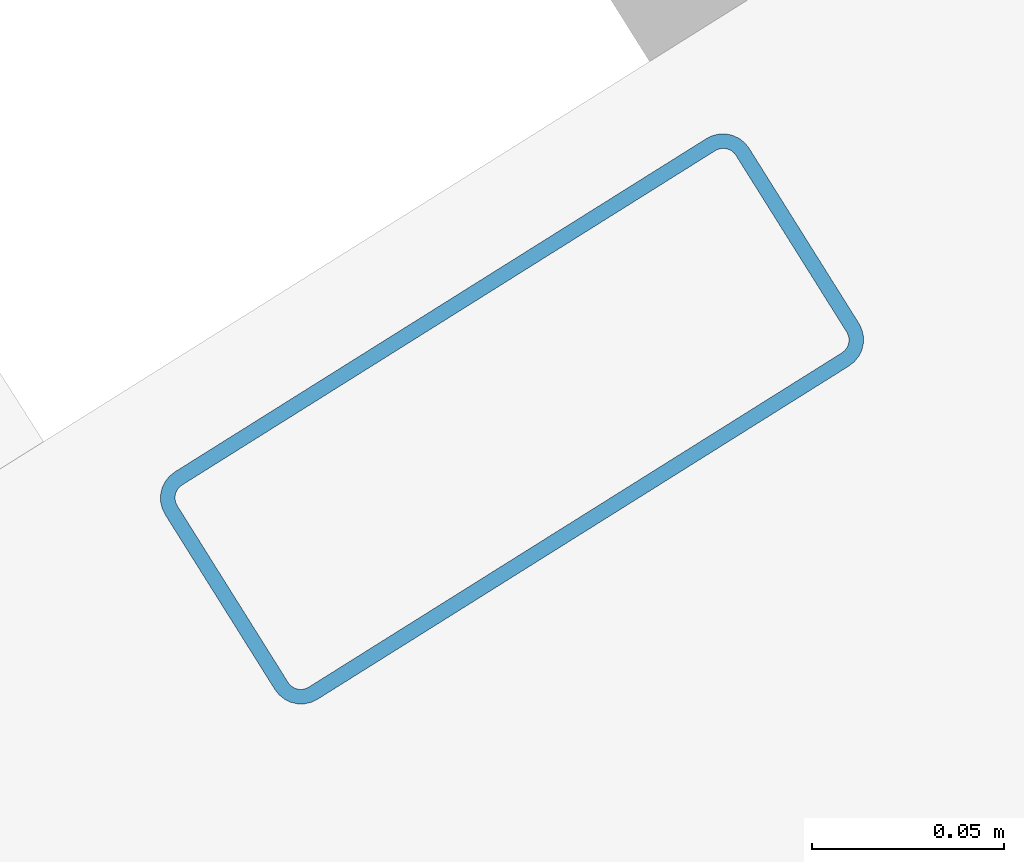
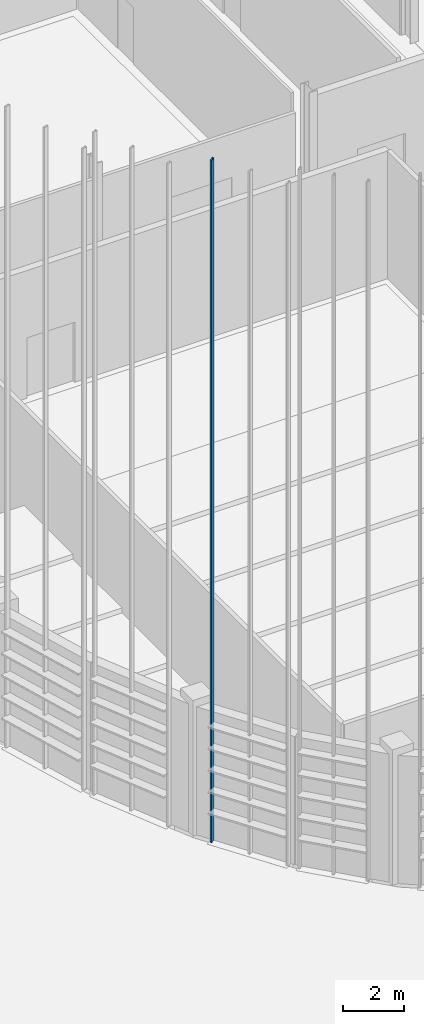
# One storey, part 24 of 372: 1 member.
"""IFC4 building model written with IfcOpenShell, lengths in metres."""

import ifcopenshell
import ifcopenshell.guid

model = None  # the IFC model being written
_history = None  # IfcOwnerHistory: only IFC2X3 demands one
_inside = {}  # id of a spatial element -> (the spatial element, [elements in it])
_under = {}  # id of a project, library or spatial element -> (it, [spatial elements below it])
_declared = {}  # id of a project -> (the project, [libraries it declares])
_typed = {}  # id of a type object -> (the type object, [elements of that type])
_made_of = {}  # id of a material, layer set ... -> (it, [elements and type objects made of it])


def new_model(schema):
    """Start an empty IFC model of exactly this schema.

    Asked for "IFC4X3", IfcOpenShell would pick the latest addendum, in which some entities
    have other attributes; the version numbers below select the first issue.
    IFC2X3 requires an IfcOwnerHistory on every rooted entity: one is made here for all.
    """
    global model, _history
    if schema == "IFC4X3":
        model = ifcopenshell.file(schema_version=(4, 3, 0, 0))
    else:
        model = ifcopenshell.file(schema=schema)
    _inside.clear()
    _under.clear()
    _declared.clear()
    _typed.clear()
    _made_of.clear()
    _history = None
    if model.schema == "IFC2X3":
        org = make("IfcOrganization", Name="unknown")
        user = make(
            "IfcPersonAndOrganization",
            ThePerson=make("IfcPerson", FamilyName="unknown"),
            TheOrganization=org,
        )
        app = make(
            "IfcApplication",
            ApplicationDeveloper=org,
            Version="unknown",
            ApplicationFullName="unknown",
            ApplicationIdentifier="unknown",
        )
        _history = make(
            "IfcOwnerHistory",
            OwningUser=user,
            OwningApplication=app,
            ChangeAction="ADDED",
            CreationDate=0,
        )
    return model


def make(cls, **values):
    """One entity of the class cls with the attributes given. An attribute that is None is left unset."""
    return model.create_entity(
        cls, **{name: value for name, value in values.items() if value is not None}
    )


def rooted(cls, **values):
    """An entity with a GlobalId (a new one), such as an element, a storey or a relation."""
    return make(cls, GlobalId=ifcopenshell.guid.new(), OwnerHistory=_history, **values)


def si_unit(unit_type, name, prefix=None):
    """IfcSIUnit, for example si_unit("LENGTHUNIT", "METRE", prefix="MILLI")."""
    return make("IfcSIUnit", UnitType=unit_type, Prefix=prefix, Name=name)


def assignment(units):
    """IfcUnitAssignment: the units of a project."""
    return None if units is None else make("IfcUnitAssignment", Units=units)


def point(xyz):
    """IfcCartesianPoint."""
    return None if xyz is None else make("IfcCartesianPoint", Coordinates=xyz)


def direction(xyz):
    """IfcDirection."""
    return None if xyz is None else make("IfcDirection", DirectionRatios=xyz)


def frame(location, z_axis=None, x_axis=None):
    """IfcAxis2Placement3D, a coordinate frame: its origin and axes. An axis left out is left unset."""
    return make(
        "IfcAxis2Placement3D",
        Location=point(location),
        Axis=direction(z_axis),
        RefDirection=direction(x_axis),
    )


def frame_2d(location, x_axis=None):
    """IfcAxis2Placement2D, a coordinate frame in the plane: its origin and x axis."""
    return make(
        "IfcAxis2Placement2D", Location=point(location), RefDirection=direction(x_axis)
    )


def origin():
    """The frame at (0, 0, 0) with its axes left unset."""
    return frame((0.0, 0.0, 0.0))


def origin_2d():
    """The frame at (0, 0) in the plane with its x axis left unset."""
    return frame_2d((0.0, 0.0))


def place(relative_to, where):
    """IfcLocalPlacement: puts the frame where relative to a parent placement (None: the world)."""
    return make(
        "IfcLocalPlacement", PlacementRelTo=relative_to, RelativePlacement=where
    )


def context(
    kind, dimensions, precision=None, world=None, true_north=None, identifier=None
):
    """IfcGeometricRepresentationContext, for example the 3D "Model" context."""
    return make(
        "IfcGeometricRepresentationContext",
        ContextIdentifier=identifier,
        ContextType=kind,
        CoordinateSpaceDimension=dimensions,
        Precision=precision,
        WorldCoordinateSystem=world,
        TrueNorth=true_north,
    )


def subcontext(parent, identifier, kind, view, scale=None):
    """IfcGeometricRepresentationSubContext, for example "Body" below "Model"."""
    return make(
        "IfcGeometricRepresentationSubContext",
        ContextIdentifier=identifier,
        ContextType=kind,
        ParentContext=parent,
        TargetScale=scale,
        TargetView=view,
    )


def project(units=None, contexts=None):
    """IfcProject with its units and contexts."""
    return rooted(
        "IfcProject",
        Name="project",
        RepresentationContexts=contexts,
        UnitsInContext=assignment(units),
    )


def spatial(cls, under=None, at=None, **own):
    """A site, building, storey or space (cls), placed at a placement, below another one or the project."""
    s = rooted(cls, ObjectPlacement=at, **own)
    if under is not None:
        _under.setdefault(under.id(), (under, []))[1].append(s)
    return s


def profile(cls, at=None, kind="AREA", **sizes):
    """A parametric profile (cls). Its sizes go by their IFC names, for example OverallWidth=200.0."""
    return make(cls, ProfileType=kind, Position=at, **sizes)


def hollow_rectangle(**sizes):
    """IfcRectangleHollowProfileDef."""
    return profile("IfcRectangleHollowProfileDef", **sizes)


def extrude(swept, where, along, depth):
    """IfcExtrudedAreaSolid: the profile swept, set in the frame where, extruded along a direction by depth."""
    return make(
        "IfcExtrudedAreaSolid",
        SweptArea=swept,
        Position=where,
        ExtrudedDirection=direction(along),
        Depth=depth,
    )


def shape(context_of_items, identifier, shape_type, items):
    """IfcShapeRepresentation: the items that make up one representation, for example the "Body"."""
    return make(
        "IfcShapeRepresentation",
        ContextOfItems=context_of_items,
        RepresentationIdentifier=identifier,
        RepresentationType=shape_type,
        Items=items,
    )


def material(Name=None, Category=None):
    """IfcMaterial."""
    return make("IfcMaterial", Name=Name, Category=Category)


def material_profile(
    of_material, cross_section, Name=None, Category=None, Priority=None
):
    """IfcMaterialProfile: a cross section and its material."""
    return make(
        "IfcMaterialProfile",
        Name=Name,
        Material=of_material,
        Profile=cross_section,
        Priority=Priority,
        Category=Category,
    )


def profile_set(profiles, Name=None, composite=None):
    """IfcMaterialProfileSet."""
    return make(
        "IfcMaterialProfileSet",
        Name=Name,
        MaterialProfiles=profiles,
        CompositeProfile=composite,
    )


def made_of(thing, what):
    """Note that an element or type object is made of a material, layer set ...; save() writes the relation."""
    if what is not None:
        _made_of.setdefault(what.id(), (what, []))[1].append(thing)
    return thing


def type_object(cls, material=None, **own):
    """A type object (cls), such as IfcWallType, which elements share."""
    return made_of(rooted(cls, **own), material)


def element(
    cls,
    number,
    at=None,
    inside=None,
    cuts=None,
    type_object=None,
    material=None,
    context=None,
    identifier="Body",
    shape_type=None,
    held_by="IfcProductDefinitionShape",
    body=None,
    shapes=None,
    **own,
):
    """One element of the class cls, such as IfcWall. Its Tag is "e" and its number.

    at: its placement. inside: the storey or other place that contains it. cuts: it is an
    opening in that element (IfcRelVoidsElement). A single representation is given by context,
    identifier, shape_type and body (its items); several are given by shapes. held_by: the class
    of the entity that holds the representations. save() writes the other relations.
    """
    e = rooted(cls, Tag="e%d" % number, ObjectPlacement=at, **own)
    if body is not None:
        shapes = [shape(context, identifier, shape_type, body)]
    if shapes is not None:
        e.Representation = make(held_by, Representations=shapes)
    if inside is not None:
        _inside.setdefault(inside.id(), (inside, []))[1].append(e)
    if cuts is not None:
        rooted(
            "IfcRelVoidsElement", RelatingBuildingElement=cuts, RelatedOpeningElement=e
        )
    if type_object is not None:
        _typed.setdefault(type_object.id(), (type_object, []))[1].append(e)
    return made_of(e, material)


def aggregate(whole, parts):
    """IfcRelAggregates: a whole, such as a stair, and the parts it consists of."""
    return rooted("IfcRelAggregates", RelatingObject=whole, RelatedObjects=parts)


def save(model, path):
    """Write the relations noted so far, then the file.

    IfcRelAggregates (storeys below a building ...), IfcRelContainedInSpatialStructure (elements
    in a storey), IfcRelDefinesByType, IfcRelAssociatesMaterial and IfcRelDeclares: one each for
    every whole, place, type object, material and project.
    """
    for whole, parts in _under.values():
        aggregate(whole, parts)
    for where, things in _inside.values():
        rooted(
            "IfcRelContainedInSpatialStructure",
            RelatedElements=things,
            RelatingStructure=where,
        )
    for kind, things in _typed.values():
        rooted("IfcRelDefinesByType", RelatedObjects=things, RelatingType=kind)
    for what, things in _made_of.values():
        rooted("IfcRelAssociatesMaterial", RelatedObjects=things, RelatingMaterial=what)
    for by, libraries in _declared.values():
        rooted("IfcRelDeclares", RelatingContext=by, RelatedDefinitions=libraries)
    model.write(path)


model = new_model("IFC4")

# Units and contexts
model_context = context("Model", 3, precision=1e-05, world=origin(), true_north=direction((0.0, 1.0)))
body_context = subcontext(model_context, "Body", "Model", "MODEL_VIEW")
ifc_project = project(units=[si_unit("LENGTHUNIT", "METRE"), si_unit("AREAUNIT", "SQUARE_METRE"), si_unit("VOLUMEUNIT", "CUBIC_METRE"), si_unit("PLANEANGLEUNIT", "RADIAN"), si_unit("MASSUNIT", "GRAM", prefix="KILO")], contexts=[model_context])

# Site, building, storey
site_placement = place(None, origin())
site = spatial("IfcSite", under=ifc_project, at=site_placement, CompositionType="ELEMENT")
building_placement = place(site_placement, origin())
building = spatial("IfcBuilding", under=site, at=building_placement, Name="Kaelora Sail Theatre", CompositionType="ELEMENT")
storey_placement = place(building_placement, origin())
storey = spatial("IfcBuildingStorey", under=building, at=storey_placement, Name="L00", CompositionType="ELEMENT", Elevation=0.0)

# Member
ifc_material = material(Name="Anodised aluminium 6063-T6", Category="aluminium")
ifc_material_profile = material_profile(ifc_material, hollow_rectangle(XDim=0.070068359375, YDim=0.179931640625, WallThickness=0.00390625, InnerFilletRadius=0.00390625, OuterFilletRadius=0.008056640625, at=origin_2d()), Name="ALU-MULL 70x180x4")
ifc_profile_set = profile_set([ifc_material_profile], Name="Anodised aluminium 6063-T6")
member_type = type_object("IfcMemberType", Name="ARC-MEM-PST-160", PredefinedType="POST", material=ifc_profile_set)
member_placement = place(storey_placement, frame((29.769287109375, 32.12451171875, 0.0), z_axis=(0.0, 0.0, 1.0), x_axis=(-0.531250720758, 0.847214655028, 0.0)))
element("IfcMember", 1, at=member_placement, inside=storey, type_object=member_type, Name="Main Theatre Sail Drum solar louvre vertical support post C16-3", PredefinedType="POST", context=body_context, shape_type="SweptSolid", body=[
    extrude(hollow_rectangle(XDim=0.070068359375, YDim=0.179931640625, WallThickness=0.00390625, InnerFilletRadius=0.00390625, OuterFilletRadius=0.008056640625, at=origin_2d()), origin(), (0.0, 0.0, 1.0), 27.179443359375),
])

save(model, "model.ifc")
